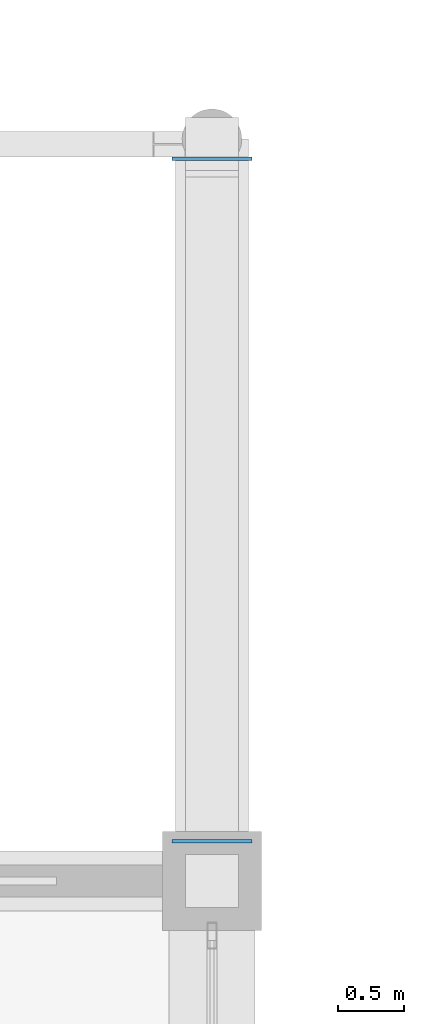
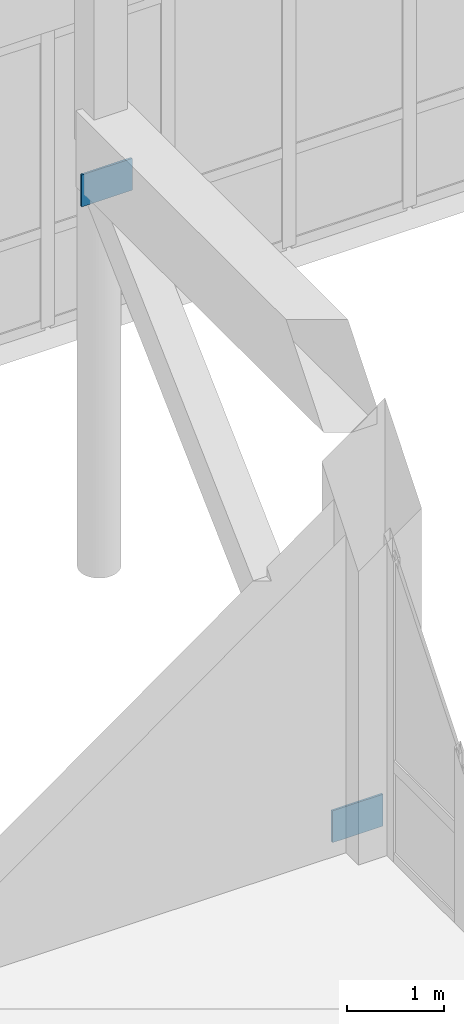
# One storey, part 217 of 236: 2 plates.
"""IFC4 building model written with IfcOpenShell, lengths in metres."""

from ifc_helpers import new_model, si_unit, direction, frame, origin, origin_2d, place, context, subcontext, project, spatial, rectangle, extrude, material, layer, layer_set, type_object, element, save


model = new_model("IFC4")

# Units and contexts
model_context = context("Model", 3, precision=1e-05, world=origin(), true_north=direction((0.0, 1.0)))
body_context = subcontext(model_context, "Body", "Model", "MODEL_VIEW")
ifc_project = project(units=[si_unit("LENGTHUNIT", "METRE"), si_unit("AREAUNIT", "SQUARE_METRE"), si_unit("VOLUMEUNIT", "CUBIC_METRE"), si_unit("PLANEANGLEUNIT", "RADIAN"), si_unit("MASSUNIT", "GRAM", prefix="KILO")], contexts=[model_context])

# Site, building, storey
site_placement = place(None, origin())
site = spatial("IfcSite", under=ifc_project, at=site_placement, CompositionType="ELEMENT")
building_placement = place(site_placement, origin())
building = spatial("IfcBuilding", under=site, at=building_placement, Name="Pandanus Reach Market Hall", CompositionType="ELEMENT")
storey_placement = place(building_placement, frame((0.0, 0.0, 5.39990234375)))
storey = spatial("IfcBuildingStorey", under=building, at=storey_placement, Name="L01", CompositionType="ELEMENT", Elevation=5.39990234375)

# Plates
ifc_material = material(Name="Steel Grade 350 (350 MPa)", Category="steel")
ifc_layer = layer(ifc_material, 0.02392578125, Name="GS-PL24")
ifc_layer_set = layer_set([ifc_layer], Name="Steel Grade 350 (350 MPa)")
plate_type = type_object("IfcPlateType", Name="GS-PL24", PredefinedType="SHEET", material=ifc_layer_set)
for number, where, z_axis, x_axis, name in (
    (1, (132.0, 86.699951171875, -0.14990234375), (0.0, 0.0, 1.0), (1.0, 0.0, 0.0), "Arcade splayed strut anchorage plate GS-PL24 8NA"),
    (2, (132.0, 91.85009765625, 4.7001953125), (0.0, 0.0, 1.0), (1.0, 0.0, 0.0), "Arcade splayed strut anchorage plate GS-PL24 8NB"),
):
    element("IfcPlate", number, at=place(storey_placement, frame(where, z_axis=z_axis, x_axis=x_axis)), inside=storey, type_object=plate_type, Name=name, PredefinedType="SHEET", context=body_context, shape_type="SweptSolid", body=[
        extrude(rectangle(XDim=0.60009765625, YDim=0.02392578125, at=origin_2d()), origin(), (0.0, 0.0, 1.0), 0.39990234375),
    ])

save(model, "model.ifc")
